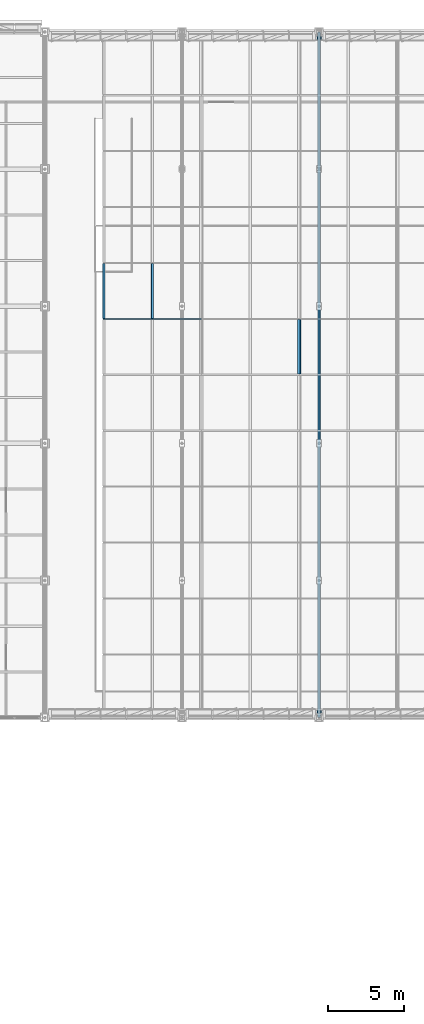
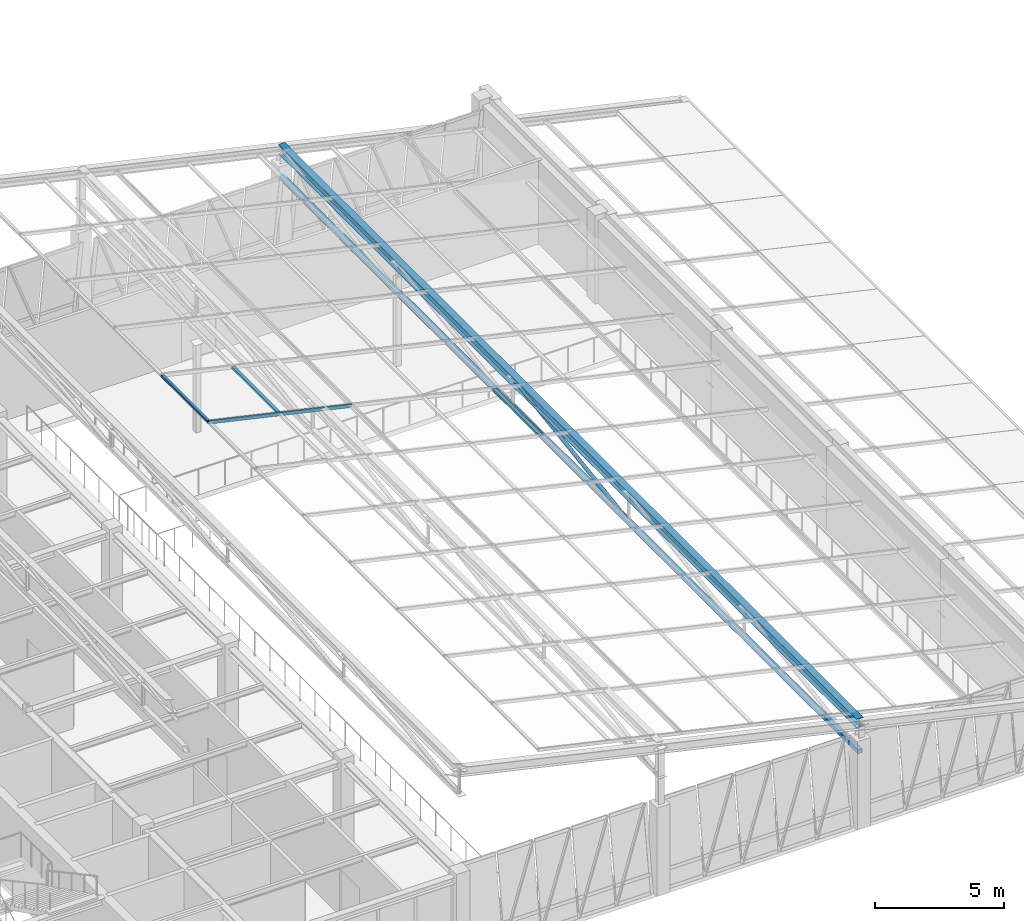
# One storey, part 73 of 130: 8 members, 3 elements without a shape of their own.
"""IFC4 building model written with IfcOpenShell, lengths in metres."""

from ifc_helpers import new_model, si_unit, direction, frame, origin, origin_2d, place, context, subcontext, project, spatial, hollow_rectangle, hollow_circle, i_section, extrude, material, material_profile, profile_set, type_object, element, aggregate, save


model = new_model("IFC4")

# Units and contexts
model_context = context("Model", 3, precision=1e-05, world=origin(), true_north=direction((0.0, 1.0)))
body_context = subcontext(model_context, "Body", "Model", "MODEL_VIEW")
ifc_project = project(units=[si_unit("LENGTHUNIT", "METRE"), si_unit("AREAUNIT", "SQUARE_METRE"), si_unit("VOLUMEUNIT", "CUBIC_METRE"), si_unit("PLANEANGLEUNIT", "RADIAN"), si_unit("MASSUNIT", "GRAM", prefix="KILO")], contexts=[model_context])

# Site, building, storey
site_placement = place(None, origin())
site = spatial("IfcSite", under=ifc_project, at=site_placement, CompositionType="ELEMENT")
building_placement = place(site_placement, origin())
building = spatial("IfcBuilding", under=site, at=building_placement, Name="Lykobir Media Centre", CompositionType="ELEMENT")
storey_placement = place(building_placement, frame((0.0, 0.0, 19.199951171875)))
storey = spatial("IfcBuildingStorey", under=building, at=storey_placement, Name="L04", CompositionType="ELEMENT", Elevation=19.199951171875)

# Member
ifc_material_1 = material(Name="Steel S355", Category="steel")
ifc_material_profile_1 = material_profile(ifc_material_1, hollow_circle(Radius=0.084228515625, WallThickness=0.010009765625, at=origin_2d()), Name="CHS 168.3x10.0")
ifc_profile_set_1 = profile_set([ifc_material_profile_1], Name="Steel S355")
member_type_1 = type_object("IfcMemberType", Name="BR-CHS168", PredefinedType="BRACE", material=ifc_profile_set_1)
member_1_placement = place(storey_placement, frame((63.0, 81.0, 3.469970703125), z_axis=(0.0, 0.988934778637, 0.148350947425), x_axis=(-1.0, 0.0, 0.0)))
element("IfcMember", 1, at=member_1_placement, inside=storey, type_object=member_type_1, Name="Diagonal brace MEM2-L04-0630-0810-0227-0630-0900-0477", PredefinedType="BRACE", context=body_context, shape_type="SweptSolid", body=[
    extrude(hollow_circle(Radius=0.084228515625, WallThickness=0.010009765625, at=origin_2d()), origin(), (0.0, 0.0, 1.0), 9.1005859375),
])

# Curtain wall, member
ifc_material_2 = material(Name="Anodized Aluminium AW-6060", Category="aluminium")
curtain_wall_type = type_object("IfcCurtainWallType", Name="CW-V6-SKY", PredefinedType="NOTDEFINED", material=ifc_material_2)
curtain_wall_1_placement = place(storey_placement, origin())
curtain_wall_1 = element("IfcCurtainWall", 2, at=curtain_wall_1_placement, inside=storey, type_object=curtain_wall_type, Name="Curtain wall CW-V6-SKY03", PredefinedType="NOTDEFINED")
ifc_material_profile_2 = material_profile(ifc_material_2, hollow_rectangle(XDim=0.074951171875, YDim=0.14990234375, WallThickness=0.00341796875, at=origin_2d()), Name="ALU TRANSOM 75x150")
ifc_profile_set_2 = profile_set([ifc_material_profile_2], Name="Anodized Aluminium AW-6060")
member_type_2 = type_object("IfcMemberType", Name="CWT-150", PredefinedType="USERDEFINED", material=ifc_profile_set_2)
member_2_placement = place(storey_placement, frame((61.728515625, 89.132568359375, 5.2646484375), z_axis=(0.0, -1.0, 0.0), x_axis=(0.221054901821, 0.0, 0.975261365164)))
member_2 = element("IfcMember", 3, at=member_2_placement, type_object=member_type_2, Name="CW-V6-SKY03 transom 6.3", ObjectType="TRANSOM", PredefinedType="USERDEFINED", context=body_context, shape_type="SweptSolid", body=[
    extrude(hollow_rectangle(XDim=0.074951171875, YDim=0.14990234375, WallThickness=0.00341796875, at=origin_2d()), origin(), (0.0, 0.0, 1.0), 3.594970703125),
])
aggregate(curtain_wall_1, [member_2])

curtain_wall_2_placement = place(storey_placement, origin())
curtain_wall_2 = element("IfcCurtainWall", 4, at=curtain_wall_2_placement, inside=storey, type_object=curtain_wall_type, Name="Curtain wall CW-V6-SKY04", PredefinedType="NOTDEFINED")
member_3_placement = place(storey_placement, frame((61.655517578125, 89.132568359375, 5.28125), z_axis=(0.0, -1.0, 0.0), x_axis=(0.221071923309, 0.0, 0.975257506879)))
member_3 = element("IfcMember", 5, at=member_3_placement, type_object=member_type_2, Name="CW-V6-SKY04 transom 6.1", ObjectType="TRANSOM", PredefinedType="USERDEFINED", context=body_context, shape_type="SweptSolid", body=[
    extrude(hollow_rectangle(XDim=0.074951171875, YDim=0.14990234375, WallThickness=0.00341796875, at=origin_2d()), origin(), (0.0, 0.0, 1.0), 3.594970703125),
])
aggregate(curtain_wall_2, [member_3])

# Curtain wall, members
curtain_wall_3_placement = place(storey_placement, origin())
curtain_wall_3 = element("IfcCurtainWall", 6, at=curtain_wall_3_placement, inside=storey, type_object=curtain_wall_type, Name="Curtain wall CW-V6-SKY05", PredefinedType="NOTDEFINED")
member_4_placement = place(storey_placement, frame((55.263427734375, 89.169921875, 6.730224609375), z_axis=(-0.97526330388, 0.0, 0.221046348318), x_axis=(0.0, -1.0, 0.0)))
member_4 = element("IfcMember", 7, at=member_4_placement, type_object=member_type_2, Name="CW-V6-SKY05 rafter transom 6", ObjectType="TRANSOM", PredefinedType="USERDEFINED", context=body_context, shape_type="SweptSolid", body=[
    extrude(hollow_rectangle(XDim=0.074951171875, YDim=0.14990234375, WallThickness=0.00341796875, at=origin_2d()), origin(), (0.0, 0.0, 1.0), 6.591552734375),
])
member_5_placement = place(storey_placement, frame((52.049072265625, 92.802490234375, 7.458740234375), z_axis=(0.0, -1.0, 0.0), x_axis=(0.221054901821, 0.0, 0.975261365164)))
member_5 = element("IfcMember", 8, at=member_5_placement, type_object=member_type_2, Name="CW-V6-SKY05 transom 5.2", ObjectType="TRANSOM", PredefinedType="USERDEFINED", context=body_context, shape_type="SweptSolid", body=[
    extrude(hollow_rectangle(XDim=0.074951171875, YDim=0.14990234375, WallThickness=0.00341796875, at=origin_2d()), origin(), (0.0, 0.0, 1.0), 3.594970703125),
])
member_6_placement = place(storey_placement, frame((48.871337890625, 92.802490234375, 8.178955078125), z_axis=(0.0, -1.0, 0.0), x_axis=(0.221054901821, 0.0, 0.975261365164)))
member_6 = element("IfcMember", 9, at=member_6_placement, type_object=member_type_2, Name="CW-V6-SKY05 transom 5.3", ObjectType="TRANSOM", PredefinedType="USERDEFINED", context=body_context, shape_type="SweptSolid", body=[
    extrude(hollow_rectangle(XDim=0.074951171875, YDim=0.14990234375, WallThickness=0.00341796875, at=origin_2d()), origin(), (0.0, 0.0, 1.0), 3.594970703125),
])
aggregate(curtain_wall_3, [member_4, member_5, member_6])

# Members
ifc_material_profile_3 = material_profile(ifc_material_1, i_section(OverallWidth=0.300048828125, OverallDepth=0.43994140625, WebThickness=0.011474609375, FlangeThickness=0.02099609375, at=origin_2d()), Name="HEA 450")
ifc_profile_set_3 = profile_set([ifc_material_profile_3], Name="Steel S355")
member_type_3 = type_object("IfcMemberType", Name="TC-HEA450", PredefinedType="CHORD", material=ifc_profile_set_3)
member_7_placement = place(storey_placement, frame((63.0, 63.0, 4.820068359375), z_axis=(0.0, 1.0, 0.0), x_axis=(-1.0, 0.0, 0.0)))
element("IfcMember", 10, at=member_7_placement, inside=storey, type_object=member_type_3, Name="Truss chord MEM2-L04-0630-0630-0240-0630-1080-0470", PredefinedType="CHORD", context=body_context, shape_type="SweptSolid", body=[
    extrude(i_section(OverallWidth=0.300048828125, OverallDepth=0.43994140625, WebThickness=0.011474609375, FlangeThickness=0.02099609375, at=origin_2d()), origin(), (0.0, 0.0, 1.0), 45.0),
])
ifc_material_profile_4 = material_profile(ifc_material_1, hollow_rectangle(XDim=0.199951171875, YDim=0.199951171875, WallThickness=0.010009765625, at=origin_2d()), Name="SHS 200x200x10")
ifc_profile_set_4 = profile_set([ifc_material_profile_4], Name="Steel S355")
member_type_4 = type_object("IfcMemberType", Name="TC-SHS200", PredefinedType="CHORD", material=ifc_profile_set_4)
member_8_placement = place(storey_placement, frame((63.0, 63.0, 3.469970703125), z_axis=(0.0, 1.0, 0.0), x_axis=(-1.0, 0.0, 0.0)))
element("IfcMember", 11, at=member_8_placement, inside=storey, type_object=member_type_4, Name="Truss chord MEM2-L04-0630-0630-0227-0630-1080-0471", PredefinedType="CHORD", context=body_context, shape_type="SweptSolid", body=[
    extrude(hollow_rectangle(XDim=0.199951171875, YDim=0.199951171875, WallThickness=0.010009765625, at=origin_2d()), origin(), (0.0, 0.0, 1.0), 45.0),
])

save(model, "model.ifc")
